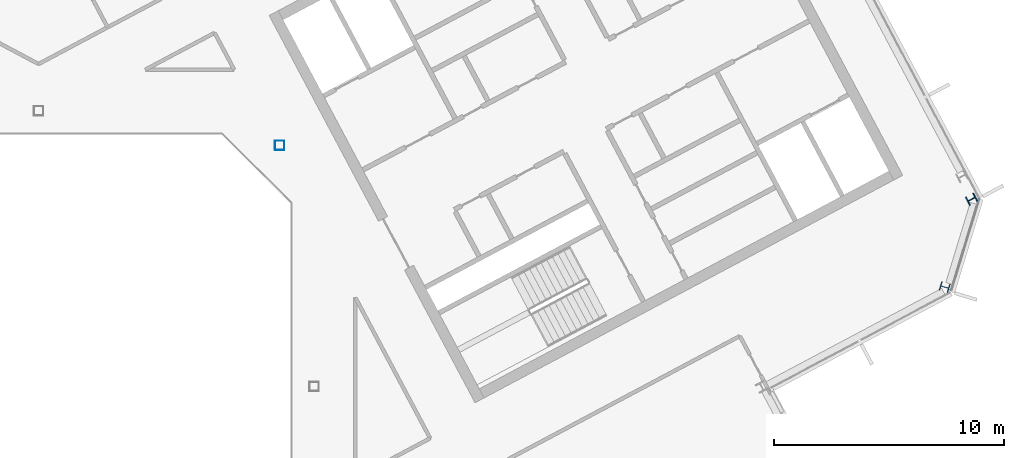
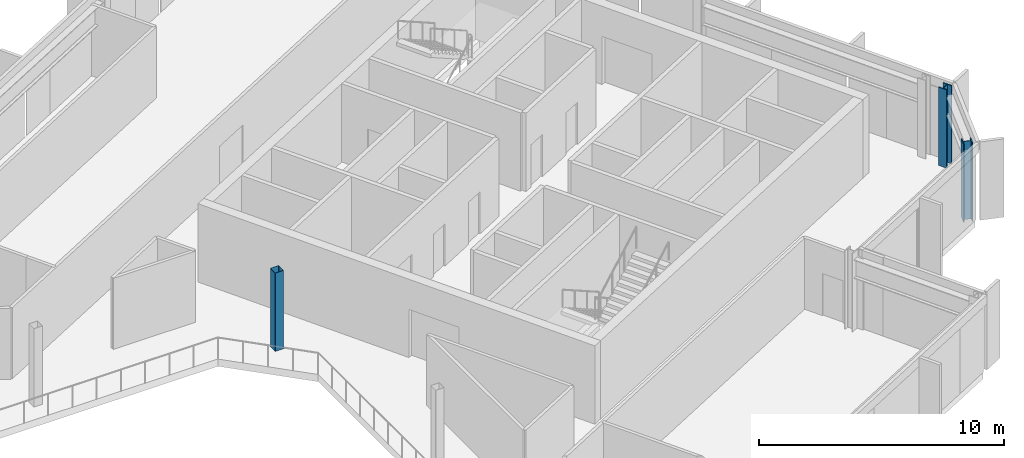
# One storey, part 6 of 26: 3 columns.
"""IFC4 building model written with IfcOpenShell, lengths in metres."""

from ifc_helpers import new_model, si_unit, direction, frame, origin, origin_2d, place, context, subcontext, project, spatial, hollow_rectangle, i_section, extrude, material, material_profile, profile_set, type_object, element, save


model = new_model("IFC4")

# Units and contexts
model_context = context("Model", 3, precision=1e-05, world=origin(), true_north=direction((0.0, 1.0)))
body_context = subcontext(model_context, "Body", "Model", "MODEL_VIEW")
ifc_project = project(units=[si_unit("LENGTHUNIT", "METRE"), si_unit("AREAUNIT", "SQUARE_METRE"), si_unit("VOLUMEUNIT", "CUBIC_METRE"), si_unit("PLANEANGLEUNIT", "RADIAN"), si_unit("MASSUNIT", "GRAM", prefix="KILO")], contexts=[model_context])

# Site, building, storey
site_placement = place(None, origin())
site = spatial("IfcSite", under=ifc_project, at=site_placement, CompositionType="ELEMENT")
building_placement = place(site_placement, origin())
building = spatial("IfcBuilding", under=site, at=building_placement, Name="Cormorant Relay Tower", CompositionType="ELEMENT")
storey_placement = place(building_placement, frame((0.0, 0.0, 300.89990234375)))
storey = spatial("IfcBuildingStorey", under=building, at=storey_placement, Name="L68", CompositionType="ELEMENT", Elevation=300.89990234375)

# Columns
ifc_material_1 = material(Name="Steel ASTM A500 Grade C (Fy 345 MPa)", Category="steel")
ifc_material_profile_1 = material_profile(ifc_material_1, hollow_rectangle(XDim=0.406494140625, YDim=0.406494140625, WallThickness=0.0087890625, InnerFilletRadius=0.00439453125, OuterFilletRadius=0.01318359375, at=origin_2d()), Name="HSS406x406x9")
ifc_profile_set_1 = profile_set([ifc_material_profile_1], Name="Steel ASTM A500 Grade C (Fy 345 MPa)")
column_type_1 = type_object("IfcColumnType", Name="Column HSS406x406x9", PredefinedType="COLUMN", material=ifc_profile_set_1)
column_placement = place(storey_placement, frame((10.5, 10.5, 0.0), z_axis=(0.0, 0.0, 1.0), x_axis=(1.0, 0.0, 0.0)))
element("IfcColumn", 1, at=column_placement, inside=storey, type_object=column_type_1, Name="Column L68-024", PredefinedType="COLUMN", context=body_context, shape_type="SweptSolid", body=[
    extrude(hollow_rectangle(XDim=0.406494140625, YDim=0.406494140625, WallThickness=0.0087890625, InnerFilletRadius=0.00439453125, OuterFilletRadius=0.01318359375, at=origin_2d()), origin(), (0.0, 0.0, 1.0), 3.900146484375),
])
ifc_material_2 = material(Name="Steel ASTM A992 (Fy 345 MPa)", Category="steel")
ifc_material_profile_2 = material_profile(ifc_material_2, i_section(OverallWidth=0.40380859375, OverallDepth=0.406494140625, WebThickness=0.027099609375, FlangeThickness=0.043701171875, FilletRadius=0.01513671875, at=origin_2d()), Name="W360x347")
ifc_profile_set_2 = profile_set([ifc_material_profile_2], Name="Steel ASTM A992 (Fy 345 MPa)")
column_type_2 = type_object("IfcColumnType", Name="Column W360x347", PredefinedType="COLUMN", material=ifc_profile_set_2)
for number, where, z_axis, x_axis, name in (
    (2, (39.464111328125, 4.330078125, 0.0), (0.0, 0.0, 1.0), (0.292371704723, 0.956304755963, 0.0), "Column L68-019"),
    (3, (40.633056640625, 8.153076171875, 0.0), (0.0, 0.0, 1.0), (-0.469471562786, 0.882947592859, 0.0), "Column L68-020"),
):
    element("IfcColumn", number, at=place(storey_placement, frame(where, z_axis=z_axis, x_axis=x_axis)), inside=storey, type_object=column_type_2, Name=name, PredefinedType="COLUMN", context=body_context, shape_type="SweptSolid", body=[
        extrude(i_section(OverallWidth=0.40380859375, OverallDepth=0.406494140625, WebThickness=0.027099609375, FlangeThickness=0.043701171875, FilletRadius=0.01513671875, at=origin_2d()), origin(), (0.0, 0.0, 1.0), 3.900146484375),
    ])

save(model, "model.ifc")
